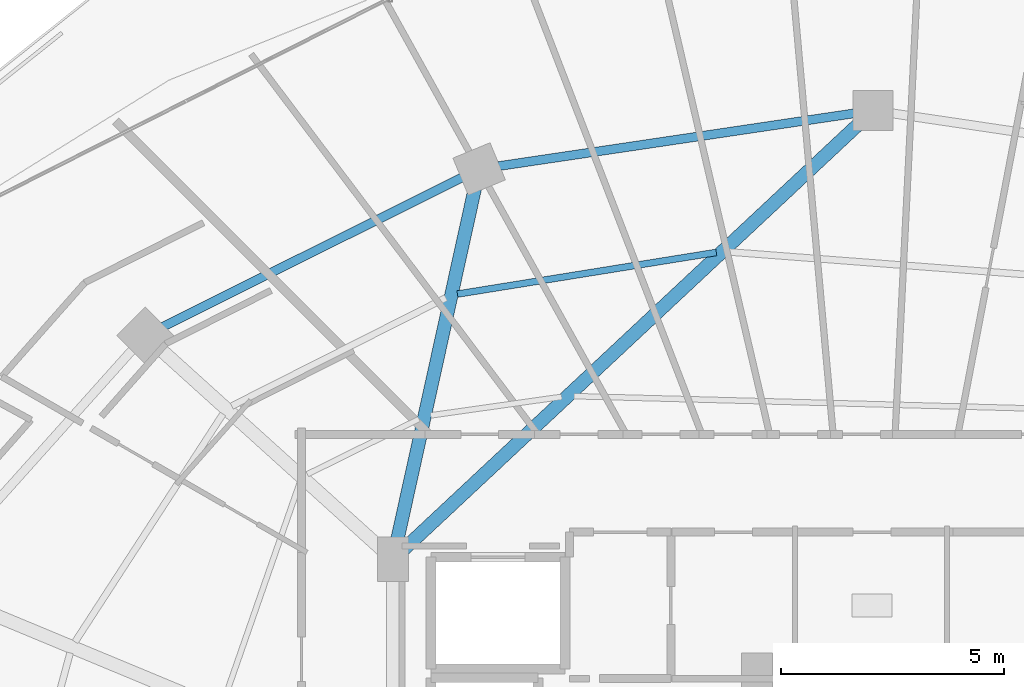
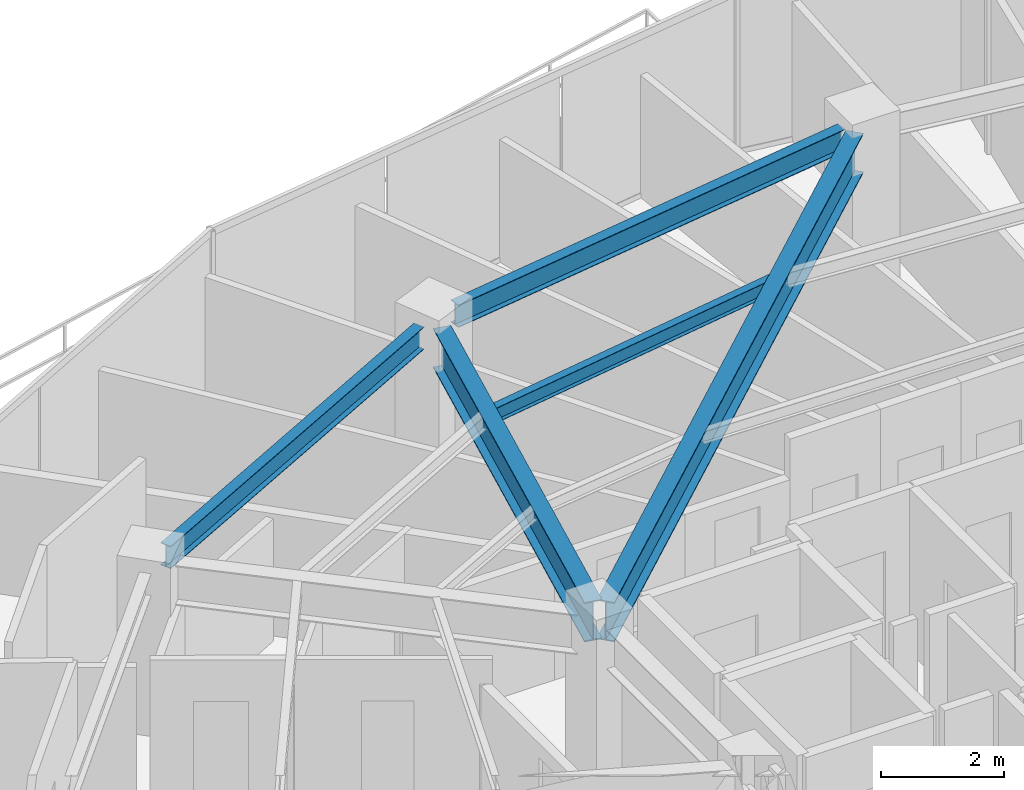
# One storey, part 17 of 31: 5 beams.
"""IFC4 building model written with IfcOpenShell, lengths in metres."""

from ifc_helpers import new_model, si_unit, direction, frame, origin, origin_2d, place, context, subcontext, project, spatial, i_section, extrude, material, material_profile, profile_set, type_object, element, save


model = new_model("IFC4")

# Units and contexts
model_context = context("Model", 3, precision=1e-05, world=origin(), true_north=direction((0.0, 1.0)))
body_context = subcontext(model_context, "Body", "Model", "MODEL_VIEW")
ifc_project = project(units=[si_unit("LENGTHUNIT", "METRE"), si_unit("AREAUNIT", "SQUARE_METRE"), si_unit("VOLUMEUNIT", "CUBIC_METRE"), si_unit("PLANEANGLEUNIT", "RADIAN"), si_unit("MASSUNIT", "GRAM", prefix="KILO")], contexts=[model_context])

# Site, building, storey
site_placement = place(None, origin())
site = spatial("IfcSite", under=ifc_project, at=site_placement, CompositionType="ELEMENT")
building_placement = place(site_placement, origin())
building = spatial("IfcBuilding", under=site, at=building_placement, Name="Vorneva Point Tower", CompositionType="ELEMENT")
storey_placement = place(building_placement, frame((0.0, 0.0, 193.10009765625)))
storey = spatial("IfcBuildingStorey", under=building, at=storey_placement, Name="L52", CompositionType="ELEMENT", Elevation=193.10009765625)

# Beams
ifc_material = material(Name="Steel S355", Category="steel")
ifc_material_profile_1 = material_profile(ifc_material, i_section(OverallWidth=0.300048828125, OverallDepth=0.7880859375, WebThickness=0.014404296875, FlangeThickness=0.02197265625, at=origin_2d()), Name="80Sh1")
ifc_profile_set_1 = profile_set([ifc_material_profile_1], Name="Steel S355")
beam_type_1 = type_object("IfcBeamType", Name="BM-GRD-80Sh1", PredefinedType="USERDEFINED", material=ifc_profile_set_1)
beam_1_placement = place(storey_placement, frame((37.679931640625, 42.90087890625, 2.845947265625), z_axis=(-0.730484767146, -0.682928989696, 0.0), x_axis=(0.682928989696, -0.730484767146, 0.0)))
element("IfcBeam", 1, at=beam_1_placement, inside=storey, type_object=beam_type_1, Name="L52 Radial Primary Girder 05", ObjectType="GIRDER", PredefinedType="USERDEFINED", context=body_context, shape_type="SweptSolid", body=[
    extrude(i_section(OverallWidth=0.300048828125, OverallDepth=0.7880859375, WebThickness=0.014404296875, FlangeThickness=0.02197265625, at=origin_2d()), origin(), (0.0, 0.0, 1.0), 13.938232421875),
])
beam_2_placement = place(storey_placement, frame((29.084716796875, 41.462890625, 2.845947265625), z_axis=(-0.215522758292, -0.976498817541, 0.0), x_axis=(0.976498817541, -0.215522758292, 0.0)))
element("IfcBeam", 2, at=beam_2_placement, inside=storey, type_object=beam_type_1, Name="L52 Radial Primary Girder 06", ObjectType="GIRDER", PredefinedType="USERDEFINED", context=body_context, shape_type="SweptSolid", body=[
    extrude(i_section(OverallWidth=0.300048828125, OverallDepth=0.7880859375, WebThickness=0.014404296875, FlangeThickness=0.02197265625, at=origin_2d()), origin(), (0.0, 0.0, 1.0), 8.173095703125),
])
ifc_material_profile_2 = material_profile(ifc_material, i_section(OverallWidth=0.14892578125, OverallDepth=0.298095703125, WebThickness=0.005615234375, FlangeThickness=0.008056640625, at=origin_2d()), Name="30B1")
ifc_profile_set_2 = profile_set([ifc_material_profile_2], Name="Steel S355")
beam_type_2 = type_object("IfcBeamType", Name="BM-JST-30B1", PredefinedType="JOIST", material=ifc_profile_set_2)
beam_3_placement = place(storey_placement, frame((34.4892578125, 40.0234375, 3.0908203125), z_axis=(-0.987297778526, -0.15888076195, 0.0), x_axis=(0.15888076195, -0.987297778526, 0.0)))
element("IfcBeam", 3, at=beam_3_placement, inside=storey, type_object=beam_type_2, Name="L52 Secondary Floor Beam 1.05", PredefinedType="JOIST", context=body_context, shape_type="SweptSolid", body=[
    extrude(i_section(OverallWidth=0.14892578125, OverallDepth=0.298095703125, WebThickness=0.005615234375, FlangeThickness=0.008056640625, at=origin_2d()), origin(), (0.0, 0.0, 1.0), 5.871337890625),
])
ifc_material_profile_3 = material_profile(ifc_material, i_section(OverallWidth=0.198974609375, OverallDepth=0.446044921875, WebThickness=0.008056640625, FlangeThickness=0.011962890625, at=origin_2d()), Name="45B1")
ifc_profile_set_3 = profile_set([ifc_material_profile_3], Name="Steel S355")
beam_type_3 = type_object("IfcBeamType", Name="BM-SPN-45B1", PredefinedType="SPANDREL", material=ifc_profile_set_3)
beam_4_placement = place(storey_placement, frame((37.569580078125, 43.135986328125, 3.016845703125), z_axis=(-0.989165476332, -0.146804837907, 0.0), x_axis=(0.146804837907, -0.989165476332, 0.0)))
element("IfcBeam", 4, at=beam_4_placement, inside=storey, type_object=beam_type_3, Name="L52 Perimeter Spandrel Ring Beam 05", PredefinedType="SPANDREL", context=body_context, shape_type="SweptSolid", body=[
    extrude(i_section(OverallWidth=0.198974609375, OverallDepth=0.446044921875, WebThickness=0.008056640625, FlangeThickness=0.011962890625, at=origin_2d()), origin(), (0.0, 0.0, 1.0), 8.04736328125),
])
beam_5_placement = place(storey_placement, frame((28.789794921875, 41.696533203125, 3.016845703125), z_axis=(-0.894922371084, -0.446221861559, 0.0), x_axis=(0.446221861559, -0.894922371084, 0.0)))
element("IfcBeam", 5, at=beam_5_placement, inside=storey, type_object=beam_type_3, Name="L52 Perimeter Spandrel Ring Beam 06", PredefinedType="SPANDREL", context=body_context, shape_type="SweptSolid", body=[
    extrude(i_section(OverallWidth=0.198974609375, OverallDepth=0.446044921875, WebThickness=0.008056640625, FlangeThickness=0.011962890625, at=origin_2d()), origin(), (0.0, 0.0, 1.0), 7.48583984375),
])

save(model, "model.ifc")
